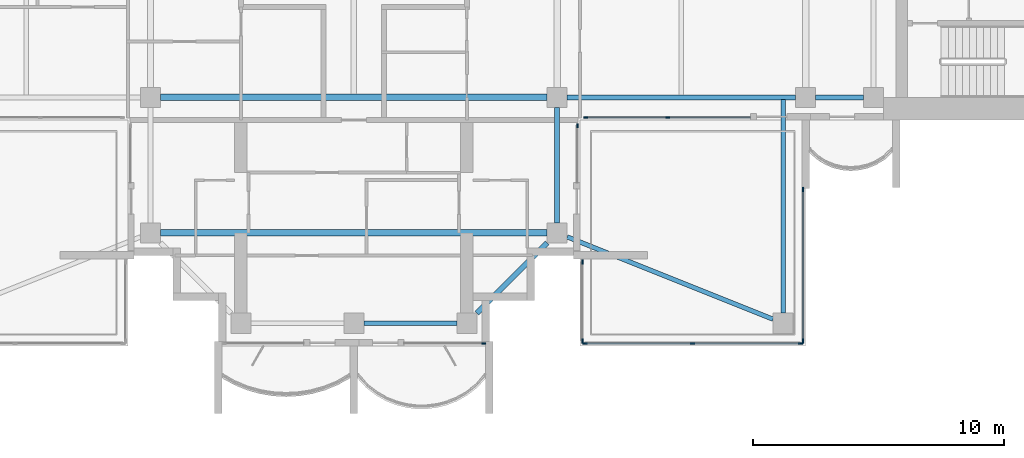
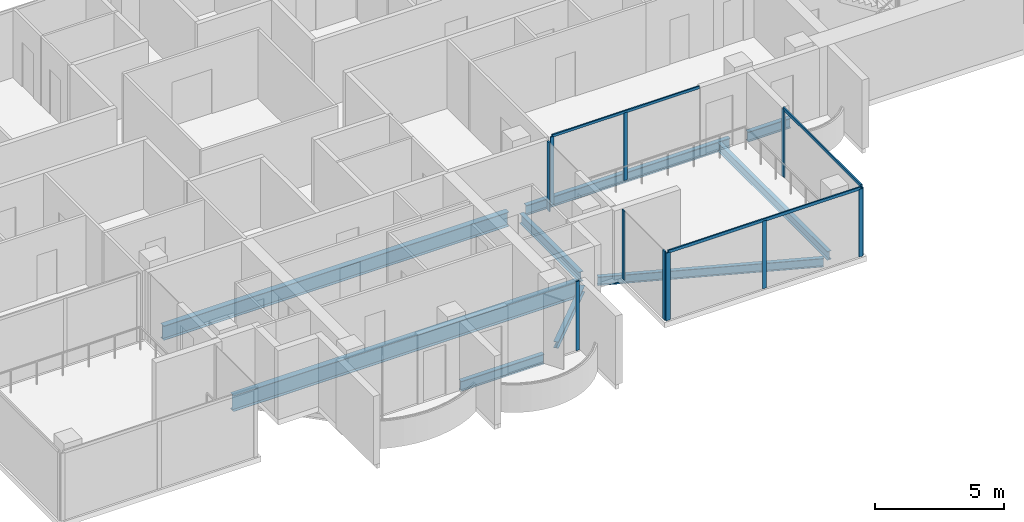
# One storey, part 3 of 16: 14 members, 9 beams, 6 elements without a shape of their own.
"""IFC4 building model written with IfcOpenShell, lengths in metres."""

from ifc_helpers import new_model, si_unit, direction, frame, origin, origin_2d, place, context, subcontext, project, spatial, rectangle, i_section, extrude, material, material_profile, profile_set, type_object, element, aggregate, save


model = new_model("IFC4")

# Units and contexts
model_context = context("Model", 3, precision=1e-05, world=origin(), true_north=direction((0.0, 1.0)))
body_context = subcontext(model_context, "Body", "Model", "MODEL_VIEW")
ifc_project = project(units=[si_unit("LENGTHUNIT", "METRE"), si_unit("AREAUNIT", "SQUARE_METRE"), si_unit("VOLUMEUNIT", "CUBIC_METRE"), si_unit("PLANEANGLEUNIT", "RADIAN"), si_unit("MASSUNIT", "GRAM", prefix="KILO")], contexts=[model_context])

# Site, building, storey
site_placement = place(None, origin())
site = spatial("IfcSite", under=ifc_project, at=site_placement, CompositionType="ELEMENT")
building_placement = place(site_placement, origin())
building = spatial("IfcBuilding", under=site, at=building_placement, Name="Perihelion Cross Residences", CompositionType="ELEMENT")
storey_placement = place(building_placement, frame((0.0, 0.0, 274.5)))
storey = spatial("IfcBuildingStorey", under=building, at=storey_placement, Name="L70", CompositionType="ELEMENT", Elevation=274.5)

# Curtain wall, member
ifc_material_1 = material(Name="Bronze anodised aluminium, tinted glazing", Category="aluminium")
curtain_wall_type_1 = type_object("IfcCurtainWallType", Name="CW1", PredefinedType="NOTDEFINED", material=ifc_material_1)
curtain_wall_1_placement = place(storey_placement, origin())
curtain_wall_1 = element("IfcCurtainWall", 1, at=curtain_wall_1_placement, inside=storey, type_object=curtain_wall_type_1, Name="Curtain wall CW1 L70 south tip south bay 2", PredefinedType="NOTDEFINED")
ifc_material_2 = material(Name="Bronze anodised aluminium", Category="aluminium")
ifc_material_profile_1 = material_profile(ifc_material_2, rectangle(XDim=0.06005859375, YDim=0.159912109375, at=origin_2d()), Name="CW1 mullion")
ifc_profile_set_1 = profile_set([ifc_material_profile_1], Name="Bronze anodised aluminium")
member_type_1 = type_object("IfcMemberType", Name="CW1 mullion", PredefinedType="MULLION", material=ifc_profile_set_1)
member_1_placement = place(storey_placement, frame((5.169921875, -17.89990234375, 0.0), z_axis=(0.0, 0.0, 1.0), x_axis=(0.0, 1.0, 0.0)))
member_1 = element("IfcMember", 2, at=member_1_placement, type_object=member_type_1, Name="CW1 mullion 2", PredefinedType="MULLION", context=body_context, shape_type="SweptSolid", body=[
    extrude(rectangle(XDim=0.06005859375, YDim=0.159912109375, at=origin_2d()), origin(), (0.0, 0.0, 1.0), 3.25),
])
aggregate(curtain_wall_1, [member_1])

curtain_wall_2_placement = place(storey_placement, origin())
curtain_wall_2 = element("IfcCurtainWall", 3, at=curtain_wall_2_placement, inside=storey, type_object=curtain_wall_type_1, Name="Curtain wall CW1 L70 south side east bay 1", PredefinedType="NOTDEFINED")
member_2_placement = place(storey_placement, frame((8.89990234375, -9.22998046875, 0.0), z_axis=(0.0, 0.0, 1.0), x_axis=(-1.0, 0.0, 0.0)))
member_2 = element("IfcMember", 4, at=member_2_placement, type_object=member_type_1, Name="CW1 mullion 2", PredefinedType="MULLION", context=body_context, shape_type="SweptSolid", body=[
    extrude(rectangle(XDim=0.06005859375, YDim=0.159912109375, at=origin_2d()), origin(), (0.0, 0.0, 1.0), 3.25),
])
aggregate(curtain_wall_2, [member_2])

# Curtain wall, members
curtain_wall_3_placement = place(storey_placement, origin())
curtain_wall_3 = element("IfcCurtainWall", 5, at=curtain_wall_3_placement, inside=storey, type_object=curtain_wall_type_1, Name="Curtain wall CW1 L70 east side south bay 1", PredefinedType="NOTDEFINED")
member_3_placement = place(storey_placement, frame((9.22998046875, -8.89990234375, 0.0), z_axis=(0.0, 0.0, 1.0), x_axis=(0.0, 1.0, 0.0)))
member_3 = element("IfcMember", 6, at=member_3_placement, type_object=member_type_1, Name="CW1 mullion 1", PredefinedType="MULLION", context=body_context, shape_type="SweptSolid", body=[
    extrude(rectangle(XDim=0.06005859375, YDim=0.159912109375, at=origin_2d()), origin(), (0.0, 0.0, 1.0), 3.18994140625),
])
member_4_placement = place(storey_placement, frame((12.5, -8.89990234375, 0.0), z_axis=(0.0, 0.0, 1.0), x_axis=(0.0, 1.0, 0.0)))
member_4 = element("IfcMember", 7, at=member_4_placement, type_object=member_type_1, Name="CW1 mullion 2", PredefinedType="MULLION", context=body_context, shape_type="SweptSolid", body=[
    extrude(rectangle(XDim=0.06005859375, YDim=0.159912109375, at=origin_2d()), origin(), (0.0, 0.0, 1.0), 3.18994140625),
])
ifc_material_3 = material(Name="Bronze anodised aluminium", Category="aluminium")
ifc_material_profile_2 = material_profile(ifc_material_3, rectangle(XDim=0.06005859375, YDim=0.1201171875, at=origin_2d()), Name="CW1 transom")
ifc_profile_set_2 = profile_set([ifc_material_profile_2], Name="Bronze anodised aluminium")
member_type_2 = type_object("IfcMemberType", Name="CW1 transom", PredefinedType="USERDEFINED", material=ifc_profile_set_2)
member_5_placement = place(storey_placement, frame((9.22998046875, -8.89990234375, 3.219970703125), z_axis=(1.0, 0.0, 0.0), x_axis=(0.0, 1.0, 0.0)))
member_5 = element("IfcMember", 8, at=member_5_placement, type_object=member_type_2, Name="CW1 head transom", ObjectType="TRANSOM", PredefinedType="USERDEFINED", context=body_context, shape_type="SweptSolid", body=[
    extrude(rectangle(XDim=0.06005859375, YDim=0.1201171875, at=origin_2d()), origin(), (0.0, 0.0, 1.0), 6.570068359375),
])
aggregate(curtain_wall_3, [member_3, member_4, member_5])

ifc_material_4 = material(Name="Bronze anodised aluminium, tinted glazing", Category="aluminium")
curtain_wall_type_2 = type_object("IfcCurtainWallType", Name="CW4", PredefinedType="NOTDEFINED", material=ifc_material_4)
curtain_wall_4_placement = place(storey_placement, origin())
curtain_wall_4 = element("IfcCurtainWall", 9, at=curtain_wall_4_placement, inside=storey, type_object=curtain_wall_type_2, Name="Curtain wall CW4 L70 pocket south-east 1 1", PredefinedType="NOTDEFINED")
ifc_material_5 = material(Name="Bronze anodised aluminium", Category="aluminium")
ifc_material_profile_3 = material_profile(ifc_material_5, rectangle(XDim=0.06005859375, YDim=0.179931640625, at=origin_2d()), Name="CW4 mullion")
ifc_profile_set_3 = profile_set([ifc_material_profile_3], Name="Bronze anodised aluminium")
member_type_3 = type_object("IfcMemberType", Name="CW4 mullion", PredefinedType="MULLION", material=ifc_profile_set_3)
member_6_placement = place(storey_placement, frame((17.89990234375, -11.77001953125, 0.0), z_axis=(0.0, 0.0, 1.0), x_axis=(1.0, 0.0, 0.0)))
member_6 = element("IfcMember", 10, at=member_6_placement, type_object=member_type_3, Name="CW4 mullion 1", PredefinedType="MULLION", context=body_context, shape_type="SweptSolid", body=[
    extrude(rectangle(XDim=0.06005859375, YDim=0.179931640625, at=origin_2d()), origin(), (0.0, 0.0, 1.0), 3.18994140625),
])
member_7_placement = place(storey_placement, frame((17.89990234375, -17.800048828125, 0.0), z_axis=(0.0, 0.0, 1.0), x_axis=(1.0, 0.0, 0.0)))
member_7 = element("IfcMember", 11, at=member_7_placement, type_object=member_type_3, Name="CW4 mullion 2", PredefinedType="MULLION", context=body_context, shape_type="SweptSolid", body=[
    extrude(rectangle(XDim=0.06005859375, YDim=0.179931640625, at=origin_2d()), origin(), (0.0, 0.0, 1.0), 3.18994140625),
])

curtain_wall_5_placement = place(storey_placement, origin())
curtain_wall_5 = element("IfcCurtainWall", 12, at=curtain_wall_5_placement, inside=storey, type_object=curtain_wall_type_2, Name="Curtain wall CW4 L70 pocket south-east 1 2", PredefinedType="NOTDEFINED")
member_8_placement = place(storey_placement, frame((17.800048828125, -17.89990234375, 0.0), z_axis=(0.0, 0.0, 1.0), x_axis=(0.0, -1.0, 0.0)))
member_8 = element("IfcMember", 13, at=member_8_placement, type_object=member_type_3, Name="CW4 mullion 1", PredefinedType="MULLION", context=body_context, shape_type="SweptSolid", body=[
    extrude(rectangle(XDim=0.06005859375, YDim=0.179931640625, at=origin_2d()), origin(), (0.0, 0.0, 1.0), 3.18994140625),
])
member_9_placement = place(storey_placement, frame((13.5, -17.89990234375, 0.0), z_axis=(0.0, 0.0, 1.0), x_axis=(0.0, -1.0, 0.0)))
member_9 = element("IfcMember", 14, at=member_9_placement, type_object=member_type_3, Name="CW4 mullion 2", PredefinedType="MULLION", context=body_context, shape_type="SweptSolid", body=[
    extrude(rectangle(XDim=0.06005859375, YDim=0.179931640625, at=origin_2d()), origin(), (0.0, 0.0, 1.0), 3.18994140625),
])
member_10_placement = place(storey_placement, frame((9.199951171875, -17.89990234375, 0.0), z_axis=(0.0, 0.0, 1.0), x_axis=(0.0, -1.0, 0.0)))
member_10 = element("IfcMember", 15, at=member_10_placement, type_object=member_type_3, Name="CW4 mullion 3", PredefinedType="MULLION", context=body_context, shape_type="SweptSolid", body=[
    extrude(rectangle(XDim=0.06005859375, YDim=0.179931640625, at=origin_2d()), origin(), (0.0, 0.0, 1.0), 3.18994140625),
])

curtain_wall_6_placement = place(storey_placement, origin())
curtain_wall_6 = element("IfcCurtainWall", 16, at=curtain_wall_6_placement, inside=storey, type_object=curtain_wall_type_2, Name="Curtain wall CW4 L70 pocket south-east 1 3", PredefinedType="NOTDEFINED")
member_11_placement = place(storey_placement, frame((9.10009765625, -17.800048828125, 0.0), z_axis=(0.0, 0.0, 1.0), x_axis=(-1.0, 0.0, 0.0)))
member_11 = element("IfcMember", 17, at=member_11_placement, type_object=member_type_3, Name="CW4 mullion 1", PredefinedType="MULLION", context=body_context, shape_type="SweptSolid", body=[
    extrude(rectangle(XDim=0.06005859375, YDim=0.179931640625, at=origin_2d()), origin(), (0.0, 0.0, 1.0), 3.25),
])
member_12_placement = place(storey_placement, frame((9.10009765625, -14.658935546875, 0.0), z_axis=(0.0, 0.0, 1.0), x_axis=(-1.0, 0.0, 0.0)))
member_12 = element("IfcMember", 18, at=member_12_placement, type_object=member_type_3, Name="CW4 mullion 2", PredefinedType="MULLION", context=body_context, shape_type="SweptSolid", body=[
    extrude(rectangle(XDim=0.06005859375, YDim=0.179931640625, at=origin_2d()), origin(), (0.0, 0.0, 1.0), 3.25),
])
aggregate(curtain_wall_6, [member_11, member_12])

# Member
ifc_material_6 = material(Name="Bronze anodised aluminium", Category="aluminium")
ifc_material_profile_4 = material_profile(ifc_material_6, rectangle(XDim=0.06005859375, YDim=0.139892578125, at=origin_2d()), Name="CW4 transom")
ifc_profile_set_4 = profile_set([ifc_material_profile_4], Name="Bronze anodised aluminium")
member_type_4 = type_object("IfcMemberType", Name="CW4 transom", PredefinedType="USERDEFINED", material=ifc_profile_set_4)
member_13_placement = place(storey_placement, frame((17.89990234375, -11.77001953125, 3.219970703125), z_axis=(0.0, -1.0, 0.0), x_axis=(1.0, 0.0, 0.0)))
member_13 = element("IfcMember", 19, at=member_13_placement, type_object=member_type_4, Name="CW4 head transom", ObjectType="TRANSOM", PredefinedType="USERDEFINED", context=body_context, shape_type="SweptSolid", body=[
    extrude(rectangle(XDim=0.06005859375, YDim=0.139892578125, at=origin_2d()), origin(), (0.0, 0.0, 1.0), 6.030029296875),
])

aggregate(curtain_wall_4, [member_6, member_7, member_13])

member_14_placement = place(storey_placement, frame((17.800048828125, -17.89990234375, 3.219970703125), z_axis=(-1.0, 0.0, 0.0), x_axis=(0.0, -1.0, 0.0)))
member_14 = element("IfcMember", 20, at=member_14_placement, type_object=member_type_4, Name="CW4 head transom", ObjectType="TRANSOM", PredefinedType="USERDEFINED", context=body_context, shape_type="SweptSolid", body=[
    extrude(rectangle(XDim=0.06005859375, YDim=0.139892578125, at=origin_2d()), origin(), (0.0, 0.0, 1.0), 8.60009765625),
])

aggregate(curtain_wall_5, [member_8, member_9, member_10, member_14])

# Beams
ifc_material_7 = material(Name="Steel S355", Category="steel")
ifc_material_profile_5 = material_profile(ifc_material_7, i_section(OverallWidth=0.177978515625, OverallDepth=0.406005859375, WebThickness=0.0078125, FlangeThickness=0.0126953125, at=origin_2d()), Name="W410x60")
ifc_profile_set_5 = profile_set([ifc_material_profile_5], Name="Steel S355")
beam_type_1 = type_object("IfcBeamType", Name="Core edge beam W410x60", PredefinedType="BEAM", material=ifc_profile_set_5)
beam_1_placement = place(storey_placement, frame((17.10009765625, -8.197021484375, -0.452880859375), z_axis=(0.0, -1.0, 0.0), x_axis=(1.0, 0.0, 0.0)))
element("IfcBeam", 21, at=beam_1_placement, inside=storey, type_object=beam_type_1, Name="Core edge beam TB2 L70 corner no. 3", PredefinedType="BEAM", context=body_context, shape_type="SweptSolid", body=[
    extrude(i_section(OverallWidth=0.177978515625, OverallDepth=0.406005859375, WebThickness=0.0078125, FlangeThickness=0.0126953125, at=origin_2d()), origin(), (0.0, 0.0, 1.0), 8.5029296875),
])
beam_2_placement = place(storey_placement, frame((8.5, -13.659912109375, -0.452880859375), z_axis=(0.928474784399, -0.371395442534, 0.0), x_axis=(0.371395442534, 0.928474784399, 0.0)))
element("IfcBeam", 22, at=beam_2_placement, inside=storey, type_object=beam_type_1, Name="Core edge beam TB2 L70 corner no. 4", PredefinedType="BEAM", context=body_context, shape_type="SweptSolid", body=[
    extrude(i_section(OverallWidth=0.177978515625, OverallDepth=0.406005859375, WebThickness=0.0078125, FlangeThickness=0.0126953125, at=origin_2d()), origin(), (0.0, 0.0, 1.0), 8.83154296875),
])
ifc_material_8 = material(Name="Steel S355", Category="steel")
ifc_material_profile_6 = material_profile(ifc_material_8, i_section(OverallWidth=0.194091796875, OverallDepth=0.469970703125, WebThickness=0.0126953125, FlangeThickness=0.0205078125, at=origin_2d()), Name="W460x106")
ifc_profile_set_6 = profile_set([ifc_material_profile_6], Name="Steel S355")
beam_type_2 = type_object("IfcBeamType", Name="Edge beam W460x106", PredefinedType="SPANDREL", material=ifc_profile_set_6)
beam_3_placement = place(storey_placement, frame((0.39990234375, -17.10009765625, -0.485107421875), z_axis=(1.0, 0.0, 0.0), x_axis=(0.0, 1.0, 0.0)))
element("IfcBeam", 23, at=beam_3_placement, inside=storey, type_object=beam_type_2, Name="Edge beam SB5 L70 no. 7", PredefinedType="SPANDREL", context=body_context, shape_type="SweptSolid", body=[
    extrude(i_section(OverallWidth=0.194091796875, OverallDepth=0.469970703125, WebThickness=0.0126953125, FlangeThickness=0.0205078125, at=origin_2d()), origin(), (0.0, 0.0, 1.0), 3.7001953125),
])
beam_4_placement = place(storey_placement, frame((8.10009765625, -13.10009765625, -0.485107421875), z_axis=(0.0, 1.0, 0.0), x_axis=(-1.0, 0.0, 0.0)))
element("IfcBeam", 24, at=beam_4_placement, inside=storey, type_object=beam_type_2, Name="Edge beam SB5 L70 no. 11", PredefinedType="SPANDREL", context=body_context, shape_type="SweptSolid", body=[
    extrude(i_section(OverallWidth=0.194091796875, OverallDepth=0.469970703125, WebThickness=0.0126953125, FlangeThickness=0.0205078125, at=origin_2d()), origin(), (0.0, 0.0, 1.0), 4.60009765625),
])
beam_5_placement = place(storey_placement, frame((8.5, -8.10009765625, -0.485107421875), z_axis=(1.0, 0.0, 0.0), x_axis=(0.0, 1.0, 0.0)))
element("IfcBeam", 25, at=beam_5_placement, inside=storey, type_object=beam_type_2, Name="Edge beam SB5 L70 no. 12", PredefinedType="SPANDREL", context=body_context, shape_type="SweptSolid", body=[
    extrude(i_section(OverallWidth=0.194091796875, OverallDepth=0.469970703125, WebThickness=0.0126953125, FlangeThickness=0.0205078125, at=origin_2d()), origin(), (0.0, 0.0, 1.0), 9.10009765625),
])
beam_6_placement = place(storey_placement, frame((18.39990234375, -8.10009765625, -0.485107421875), z_axis=(1.0, 0.0, 0.0), x_axis=(0.0, 1.0, 0.0)))
element("IfcBeam", 26, at=beam_6_placement, inside=storey, type_object=beam_type_2, Name="Edge beam SB5 L70 no. 8", PredefinedType="SPANDREL", context=body_context, shape_type="SweptSolid", body=[
    extrude(i_section(OverallWidth=0.194091796875, OverallDepth=0.469970703125, WebThickness=0.0126953125, FlangeThickness=0.0205078125, at=origin_2d()), origin(), (0.0, 0.0, 1.0), 1.900146484375),
])
ifc_material_9 = material(Name="Steel S355", Category="steel")
ifc_material_profile_7 = material_profile(ifc_material_9, i_section(OverallWidth=0.26708984375, OverallDepth=0.75390625, WebThickness=0.01318359375, FlangeThickness=0.01708984375, at=origin_2d()), Name="W760x147")
ifc_profile_set_7 = profile_set([ifc_material_profile_7], Name="Steel S355")
beam_type_3 = type_object("IfcBeamType", Name="Floor girder W760x147", PredefinedType="BEAM", material=ifc_profile_set_7)
beam_7_placement = place(storey_placement, frame((-7.699951171875, -13.5, -0.626953125), z_axis=(1.0, 0.0, 0.0), x_axis=(0.0, 1.0, 0.0)))
element("IfcBeam", 27, at=beam_7_placement, inside=storey, type_object=beam_type_3, Name="Girder G5 L70 no. 3", PredefinedType="BEAM", context=body_context, shape_type="SweptSolid", body=[
    extrude(i_section(OverallWidth=0.26708984375, OverallDepth=0.75390625, WebThickness=0.01318359375, FlangeThickness=0.01708984375, at=origin_2d()), origin(), (0.0, 0.0, 1.0), 15.39990234375),
])
ifc_material_10 = material(Name="Steel S355", Category="steel")
ifc_material_profile_8 = material_profile(ifc_material_10, i_section(OverallWidth=0.25390625, OverallDepth=0.677978515625, WebThickness=0.01171875, FlangeThickness=0.016357421875, at=origin_2d()), Name="W690x125")
ifc_profile_set_8 = profile_set([ifc_material_profile_8], Name="Steel S355")
beam_type_4 = type_object("IfcBeamType", Name="Hub ring girder W690x125", PredefinedType="BEAM", material=ifc_profile_set_8)
beam_8_placement = place(storey_placement, frame((-7.699951171875, -8.10009765625, -0.589111328125), z_axis=(1.0, 0.0, 0.0), x_axis=(0.0, 1.0, 0.0)))
element("IfcBeam", 28, at=beam_8_placement, inside=storey, type_object=beam_type_4, Name="Hub ring girder RG5 L70 no. 1", PredefinedType="BEAM", context=body_context, shape_type="SweptSolid", body=[
    extrude(i_section(OverallWidth=0.25390625, OverallDepth=0.677978515625, WebThickness=0.01171875, FlangeThickness=0.016357421875, at=origin_2d()), origin(), (0.0, 0.0, 1.0), 15.39990234375),
])
ifc_material_11 = material(Name="Steel S355", Category="steel")
ifc_material_profile_9 = material_profile(ifc_material_11, i_section(OverallWidth=0.202880859375, OverallDepth=0.302001953125, WebThickness=0.007568359375, FlangeThickness=0.01318359375, at=origin_2d()), Name="W310x60")
ifc_profile_set_9 = profile_set([ifc_material_profile_9], Name="Steel S355")
beam_type_5 = type_object("IfcBeamType", Name="Serration edge beam W310x60", PredefinedType="BEAM", material=ifc_profile_set_9)
beam_9_placement = place(storey_placement, frame((4.89990234375, -16.699951171875, -0.40087890625), z_axis=(0.707106781187, 0.707106781187, 0.0), x_axis=(-0.707106781187, 0.707106781187, 0.0)))
element("IfcBeam", 29, at=beam_9_placement, inside=storey, type_object=beam_type_5, Name="Serration edge beam EB5 L70 no. 2", PredefinedType="BEAM", context=body_context, shape_type="SweptSolid", body=[
    extrude(i_section(OverallWidth=0.202880859375, OverallDepth=0.302001953125, WebThickness=0.007568359375, FlangeThickness=0.01318359375, at=origin_2d()), origin(), (0.0, 0.0, 1.0), 3.9599609375),
])

save(model, "model.ifc")
